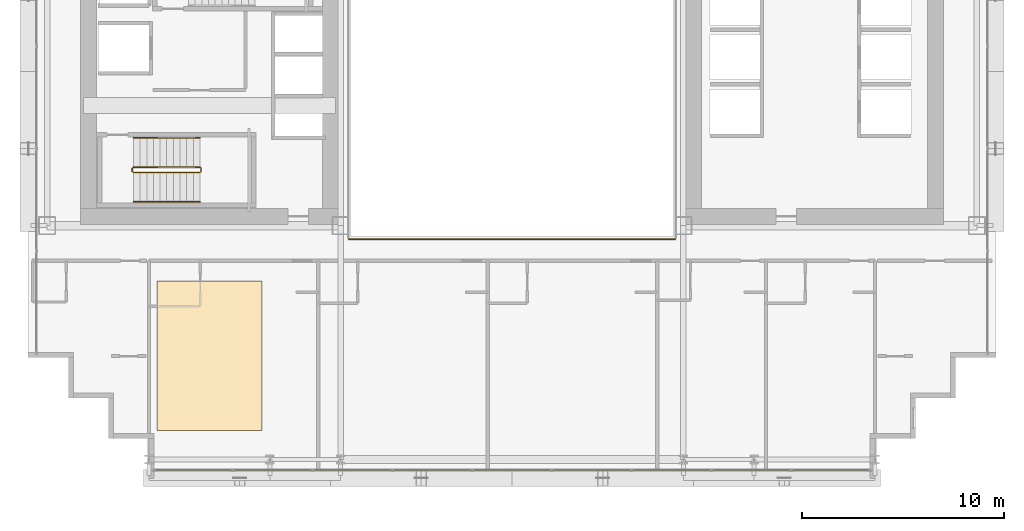
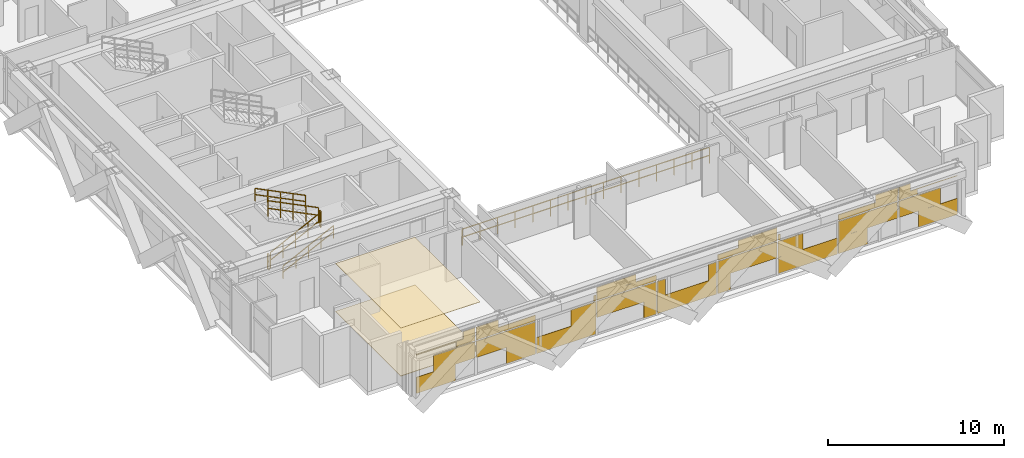
# One storey, part 32 of 35: 7 railings, 3 coverings.
"""IFC4 building model written with IfcOpenShell, lengths in metres."""

from ifc_helpers import new_model, si_unit, direction, frame, origin, origin_2d, place, context, subcontext, project, spatial, polyline, rectangle, outline, extrude, material, layer, layer_set, type_object, element, save


model = new_model("IFC4")

# Units and contexts
model_context = context("Model", 3, precision=1e-05, world=origin(), true_north=direction((0.0, 1.0)))
body_context = subcontext(model_context, "Body", "Model", "MODEL_VIEW")
ifc_project = project(units=[si_unit("LENGTHUNIT", "METRE"), si_unit("AREAUNIT", "SQUARE_METRE"), si_unit("VOLUMEUNIT", "CUBIC_METRE"), si_unit("PLANEANGLEUNIT", "RADIAN"), si_unit("MASSUNIT", "GRAM", prefix="KILO")], contexts=[model_context])

# Site, building, storey
site_placement = place(None, origin())
site = spatial("IfcSite", under=ifc_project, at=site_placement, CompositionType="ELEMENT")
building_placement = place(site_placement, origin())
building = spatial("IfcBuilding", under=site, at=building_placement, Name="Ocotamira Hotel", CompositionType="ELEMENT")
storey_placement = place(building_placement, frame((0.0, 0.0, 56.39990234375)))
storey = spatial("IfcBuildingStorey", under=building, at=storey_placement, Name="L13", CompositionType="ELEMENT", Elevation=56.39990234375)

# Coverings
ifc_material_1 = material(Name="Perforated acoustic gypsum ceiling board", Category="gypsum")
ifc_layer_1 = layer(ifc_material_1, 0.02490234375)
ifc_layer_set_1 = layer_set([ifc_layer_1], Name="Perforated acoustic gypsum ceiling board")
covering_type_1 = type_object("IfcCoveringType", Name="COV-CEIL-25", PredefinedType="CEILING", material=ifc_layer_set_1)
covering_1_placement = place(storey_placement, frame((0.0, 0.0, 3.3251953125)))
element("IfcCovering", 1, at=covering_1_placement, inside=storey, type_object=covering_type_1, Name="L13 Acoustic Ceiling", PredefinedType="CEILING", context=body_context, shape_type="SweptSolid", body=[
    extrude(outline(polyline([(14.39990234375, 4.39990234375), (19.60009765625, 4.39990234375), (19.60009765625, 11.800048828125), (14.39990234375, 11.800048828125), (14.39990234375, 4.39990234375)])), origin(), (0.0, 0.0, 1.0), 0.02490234375),
])
ifc_material_2 = material(Name="Honed desert travertine stone flooring", Category="masonry")
ifc_layer_2 = layer(ifc_material_2, 0.030029296875)
ifc_layer_set_2 = layer_set([ifc_layer_2], Name="Honed desert travertine stone flooring")
covering_type_2 = type_object("IfcCoveringType", Name="COV-FLOR-30", PredefinedType="FLOORING", material=ifc_layer_set_2)
covering_2_placement = place(storey_placement, origin())
element("IfcCovering", 2, at=covering_2_placement, inside=storey, type_object=covering_type_2, Name="L13 Honed Stone Floor Finish", PredefinedType="FLOORING", context=body_context, shape_type="SweptSolid", body=[
    extrude(outline(polyline([(14.39990234375, 4.39990234375), (19.60009765625, 4.39990234375), (19.60009765625, 11.800048828125), (14.39990234375, 11.800048828125), (14.39990234375, 4.39990234375)])), origin(), (0.0, 0.0, 1.0), 0.030029296875),
])
ifc_material_3 = material(Name="Insulated pale-metal aluminium spandrel panel", Category="aluminium")
ifc_layer_3 = layer(ifc_material_3, 0.044921875)
ifc_layer_set_3 = layer_set([ifc_layer_3], Name="Insulated pale-metal aluminium spandrel panel")
covering_type_3 = type_object("IfcCoveringType", Name="COV-INFILL-45", PredefinedType="CLADDING", material=ifc_layer_set_3)
covering_3_placement = place(storey_placement, origin())
element("IfcCovering", 3, at=covering_3_placement, inside=storey, type_object=covering_type_3, Name="L13 Curtain Wall Infill CW-2 CW-L13-S1", PredefinedType="CLADDING", context=body_context, shape_type="SweptSolid", body=[
    extrude(rectangle(XDim=2.556396484375, YDim=0.044921875, at=origin_2d()), frame((15.558837890625, 2.419921875, 0.07568359375), z_axis=(0.0, 0.0, 1.0), x_axis=(1.0, 0.0, 0.0)), (0.0, 0.0, 1.0), 1.11767578125),
    extrude(rectangle(XDim=2.7177734375, YDim=0.044921875, at=origin_2d()), frame((16.756103515625, 2.419921875, 1.1943359375), z_axis=(0.0, 0.0, 1.0), x_axis=(1.0, 0.0, 0.0)), (0.0, 0.0, 1.0), 1.11767578125),
    extrude(rectangle(XDim=3.834716796875, YDim=0.044921875, at=origin_2d()), frame((16.19775390625, 2.419921875, 2.733642578125), z_axis=(0.0, 0.0, 1.0), x_axis=(1.0, 0.0, 0.0)), (0.0, 0.0, 1.0), 0.0302734375),
    extrude(rectangle(XDim=1.2255859375, YDim=0.044921875, at=origin_2d()), frame((17.502197265625, 2.419921875, 2.38818359375), z_axis=(0.0, 0.0, 1.0), x_axis=(1.0, 0.0, 0.0)), (0.0, 0.0, 1.0), 0.344482421875),
    extrude(rectangle(XDim=0.754638671875, YDim=0.044921875, at=origin_2d()), frame((17.73779296875, 2.419921875, 2.764892578125), z_axis=(0.0, 0.0, 1.0), x_axis=(1.0, 0.0, 0.0)), (0.0, 0.0, 1.0), 0.509765625),
    extrude(rectangle(XDim=3.87451171875, YDim=0.044921875, at=origin_2d()), frame((20.13330078125, 2.419921875, 1.1943359375), z_axis=(0.0, 0.0, 1.0), x_axis=(1.0, 0.0, 0.0)), (0.0, 0.0, 1.0), 1.11767578125),
    extrude(rectangle(XDim=1.90771484375, YDim=0.044921875, at=origin_2d()), frame((21.11669921875, 2.419921875, 0.07568359375), z_axis=(0.0, 0.0, 1.0), x_axis=(1.0, 0.0, 0.0)), (0.0, 0.0, 1.0), 1.11767578125),
    extrude(rectangle(XDim=3.87451171875, YDim=0.044921875, at=origin_2d()), frame((20.13330078125, 2.419921875, 2.38818359375), z_axis=(0.0, 0.0, 1.0), x_axis=(1.0, 0.0, 0.0)), (0.0, 0.0, 1.0), 0.375732421875),
    extrude(rectangle(XDim=1.443603515625, YDim=0.044921875, at=origin_2d()), frame((18.917724609375, 2.419921875, 2.764892578125), z_axis=(0.0, 0.0, 1.0), x_axis=(1.0, 0.0, 0.0)), (0.0, 0.0, 1.0), 0.509765625),
    extrude(rectangle(XDim=3.87451171875, YDim=0.044921875, at=origin_2d()), frame((24.0888671875, 2.419921875, 0.07568359375), z_axis=(0.0, 0.0, 1.0), x_axis=(1.0, 0.0, 0.0)), (0.0, 0.0, 1.0), 1.11767578125),
    extrude(rectangle(XDim=1.62890625, YDim=0.044921875, at=origin_2d()), frame((25.2119140625, 2.419921875, 1.1943359375), z_axis=(0.0, 0.0, 1.0), x_axis=(1.0, 0.0, 0.0)), (0.0, 0.0, 1.0), 1.11767578125),
    extrude(rectangle(XDim=0.13671875, YDim=0.044921875, at=origin_2d()), frame((25.957763671875, 2.419921875, 2.38818359375), z_axis=(0.0, 0.0, 1.0), x_axis=(1.0, 0.0, 0.0)), (0.0, 0.0, 1.0), 0.375732421875),
    extrude(rectangle(XDim=3.87451171875, YDim=0.044921875, at=origin_2d()), frame((28.04443359375, 2.419921875, 1.1943359375), z_axis=(0.0, 0.0, 1.0), x_axis=(1.0, 0.0, 0.0)), (0.0, 0.0, 1.0), 1.11767578125),
    extrude(rectangle(XDim=0.81884765625, YDim=0.044921875, at=origin_2d()), frame((29.572265625, 2.419921875, 0.07568359375), z_axis=(0.0, 0.0, 1.0), x_axis=(1.0, 0.0, 0.0)), (0.0, 0.0, 1.0), 1.11767578125),
    extrude(rectangle(XDim=3.87451171875, YDim=0.044921875, at=origin_2d()), frame((28.04443359375, 2.419921875, 2.38818359375), z_axis=(0.0, 0.0, 1.0), x_axis=(1.0, 0.0, 0.0)), (0.0, 0.0, 1.0), 0.375732421875),
    extrude(rectangle(XDim=2.532470703125, YDim=0.044921875, at=origin_2d()), frame((27.373291015625, 2.419921875, 2.764892578125), z_axis=(0.0, 0.0, 1.0), x_axis=(1.0, 0.0, 0.0)), (0.0, 0.0, 1.0), 0.509765625),
    extrude(rectangle(XDim=3.87451171875, YDim=0.044921875, at=origin_2d()), frame((32.0, 2.419921875, 0.07568359375), z_axis=(0.0, 0.0, 1.0), x_axis=(1.0, 0.0, 0.0)), (0.0, 0.0, 1.0), 1.11767578125),
    extrude(rectangle(XDim=0.539794921875, YDim=0.044921875, at=origin_2d()), frame((30.332763671875, 2.419921875, 1.1943359375), z_axis=(0.0, 0.0, 1.0), x_axis=(1.0, 0.0, 0.0)), (0.0, 0.0, 1.0), 1.11767578125),
    extrude(rectangle(XDim=0.539794921875, YDim=0.044921875, at=origin_2d()), frame((33.667236328125, 2.419921875, 1.1943359375), z_axis=(0.0, 0.0, 1.0), x_axis=(1.0, 0.0, 0.0)), (0.0, 0.0, 1.0), 1.11767578125),
    extrude(rectangle(XDim=0.81884765625, YDim=0.044921875, at=origin_2d()), frame((34.427734375, 2.419921875, 0.07568359375), z_axis=(0.0, 0.0, 1.0), x_axis=(1.0, 0.0, 0.0)), (0.0, 0.0, 1.0), 1.11767578125),
    extrude(rectangle(XDim=3.87451171875, YDim=0.044921875, at=origin_2d()), frame((35.95556640625, 2.419921875, 1.1943359375), z_axis=(0.0, 0.0, 1.0), x_axis=(1.0, 0.0, 0.0)), (0.0, 0.0, 1.0), 1.11767578125),
    extrude(rectangle(XDim=3.87451171875, YDim=0.044921875, at=origin_2d()), frame((35.95556640625, 2.419921875, 2.38818359375), z_axis=(0.0, 0.0, 1.0), x_axis=(1.0, 0.0, 0.0)), (0.0, 0.0, 1.0), 0.375732421875),
    extrude(rectangle(XDim=2.532470703125, YDim=0.044921875, at=origin_2d()), frame((36.626708984375, 2.419921875, 2.764892578125), z_axis=(0.0, 0.0, 1.0), x_axis=(1.0, 0.0, 0.0)), (0.0, 0.0, 1.0), 0.509765625),
    extrude(rectangle(XDim=3.87451171875, YDim=0.044921875, at=origin_2d()), frame((39.9111328125, 2.419921875, 0.07568359375), z_axis=(0.0, 0.0, 1.0), x_axis=(1.0, 0.0, 0.0)), (0.0, 0.0, 1.0), 1.11767578125),
    extrude(rectangle(XDim=1.62890625, YDim=0.044921875, at=origin_2d()), frame((38.7880859375, 2.419921875, 1.1943359375), z_axis=(0.0, 0.0, 1.0), x_axis=(1.0, 0.0, 0.0)), (0.0, 0.0, 1.0), 1.11767578125),
    extrude(rectangle(XDim=0.13671875, YDim=0.044921875, at=origin_2d()), frame((38.042236328125, 2.419921875, 2.38818359375), z_axis=(0.0, 0.0, 1.0), x_axis=(1.0, 0.0, 0.0)), (0.0, 0.0, 1.0), 0.375732421875),
    extrude(rectangle(XDim=1.90771484375, YDim=0.044921875, at=origin_2d()), frame((42.88330078125, 2.419921875, 0.07568359375), z_axis=(0.0, 0.0, 1.0), x_axis=(1.0, 0.0, 0.0)), (0.0, 0.0, 1.0), 1.11767578125),
    extrude(rectangle(XDim=3.87451171875, YDim=0.044921875, at=origin_2d()), frame((43.86669921875, 2.419921875, 1.1943359375), z_axis=(0.0, 0.0, 1.0), x_axis=(1.0, 0.0, 0.0)), (0.0, 0.0, 1.0), 1.11767578125),
    extrude(rectangle(XDim=3.87451171875, YDim=0.044921875, at=origin_2d()), frame((43.86669921875, 2.419921875, 2.38818359375), z_axis=(0.0, 0.0, 1.0), x_axis=(1.0, 0.0, 0.0)), (0.0, 0.0, 1.0), 0.375732421875),
    extrude(rectangle(XDim=1.443603515625, YDim=0.044921875, at=origin_2d()), frame((45.082275390625, 2.419921875, 2.764892578125), z_axis=(0.0, 0.0, 1.0), x_axis=(1.0, 0.0, 0.0)), (0.0, 0.0, 1.0), 0.509765625),
    extrude(rectangle(XDim=2.7177734375, YDim=0.044921875, at=origin_2d()), frame((47.243896484375, 2.419921875, 1.1943359375), z_axis=(0.0, 0.0, 1.0), x_axis=(1.0, 0.0, 0.0)), (0.0, 0.0, 1.0), 1.11767578125),
    extrude(rectangle(XDim=2.556396484375, YDim=0.044921875, at=origin_2d()), frame((48.441162109375, 2.419921875, 0.07568359375), z_axis=(0.0, 0.0, 1.0), x_axis=(1.0, 0.0, 0.0)), (0.0, 0.0, 1.0), 1.11767578125),
    extrude(rectangle(XDim=1.2255859375, YDim=0.044921875, at=origin_2d()), frame((46.497802734375, 2.419921875, 2.38818359375), z_axis=(0.0, 0.0, 1.0), x_axis=(1.0, 0.0, 0.0)), (0.0, 0.0, 1.0), 0.344482421875),
    extrude(rectangle(XDim=3.834716796875, YDim=0.044921875, at=origin_2d()), frame((47.80224609375, 2.419921875, 2.733642578125), z_axis=(0.0, 0.0, 1.0), x_axis=(1.0, 0.0, 0.0)), (0.0, 0.0, 1.0), 0.0302734375),
    extrude(rectangle(XDim=0.754638671875, YDim=0.044921875, at=origin_2d()), frame((46.26220703125, 2.419921875, 2.764892578125), z_axis=(0.0, 0.0, 1.0), x_axis=(1.0, 0.0, 0.0)), (0.0, 0.0, 1.0), 0.509765625),
])

# Railings
ifc_material_4 = material(Name="Painted steel stair guardrail", Category="steel")
railing_type_1 = type_object("IfcRailingType", Name="RL-EDGE-1150", PredefinedType="GUARDRAIL", material=ifc_material_4)
railing_1_placement = place(storey_placement, frame((23.89990234375, 13.8798828125, 0.0)))
element("IfcRailing", 4, at=railing_1_placement, inside=storey, type_object=railing_type_1, Name="L13 Central Atrium Edge Guardrail S", PredefinedType="GUARDRAIL", context=body_context, shape_type="SweptSolid", body=[
    extrude(rectangle(XDim=0.048095703125, YDim=0.048095703125, at=origin_2d()), frame((0.0, 0.0, 1.1259765625), z_axis=(1.0, 0.0, 0.0), x_axis=(0.0, 1.0, 0.0)), (0.0, 0.0, 1.0), 16.2001953125),
    extrude(rectangle(XDim=0.048095703125, YDim=0.048095703125, at=origin_2d()), frame((0.0, 0.0, 0.574951171875), z_axis=(1.0, 0.0, 0.0), x_axis=(0.0, 1.0, 0.0)), (0.0, 0.0, 1.0), 16.2001953125),
    extrude(rectangle(XDim=0.0419921875, YDim=0.0419921875, at=origin_2d()), origin(), (0.0, 0.0, 1.0), 1.101806640625),
    extrude(rectangle(XDim=0.0419921875, YDim=0.0419921875, at=origin_2d()), frame((1.1572265625, 0.0, 0.0)), (0.0, 0.0, 1.0), 1.101806640625),
    extrude(rectangle(XDim=0.0419921875, YDim=0.0419921875, at=origin_2d()), frame((2.314208984375, 0.0, 0.0)), (0.0, 0.0, 1.0), 1.101806640625),
    extrude(rectangle(XDim=0.0419921875, YDim=0.0419921875, at=origin_2d()), frame((3.471435546875, 0.0, 0.0)), (0.0, 0.0, 1.0), 1.101806640625),
    extrude(rectangle(XDim=0.0419921875, YDim=0.0419921875, at=origin_2d()), frame((4.628662109375, 0.0, 0.0)), (0.0, 0.0, 1.0), 1.101806640625),
    extrude(rectangle(XDim=0.0419921875, YDim=0.0419921875, at=origin_2d()), frame((5.785888671875, 0.0, 0.0)), (0.0, 0.0, 1.0), 1.101806640625),
    extrude(rectangle(XDim=0.0419921875, YDim=0.0419921875, at=origin_2d()), frame((6.94287109375, 0.0, 0.0)), (0.0, 0.0, 1.0), 1.101806640625),
    extrude(rectangle(XDim=0.0419921875, YDim=0.0419921875, at=origin_2d()), frame((8.10009765625, 0.0, 0.0)), (0.0, 0.0, 1.0), 1.101806640625),
    extrude(rectangle(XDim=0.0419921875, YDim=0.0419921875, at=origin_2d()), frame((9.25732421875, 0.0, 0.0)), (0.0, 0.0, 1.0), 1.101806640625),
    extrude(rectangle(XDim=0.0419921875, YDim=0.0419921875, at=origin_2d()), frame((10.414306640625, 0.0, 0.0)), (0.0, 0.0, 1.0), 1.101806640625),
    extrude(rectangle(XDim=0.0419921875, YDim=0.0419921875, at=origin_2d()), frame((11.571533203125, 0.0, 0.0)), (0.0, 0.0, 1.0), 1.101806640625),
    extrude(rectangle(XDim=0.0419921875, YDim=0.0419921875, at=origin_2d()), frame((12.728759765625, 0.0, 0.0)), (0.0, 0.0, 1.0), 1.101806640625),
    extrude(rectangle(XDim=0.0419921875, YDim=0.0419921875, at=origin_2d()), frame((13.885986328125, 0.0, 0.0)), (0.0, 0.0, 1.0), 1.101806640625),
    extrude(rectangle(XDim=0.0419921875, YDim=0.0419921875, at=origin_2d()), frame((15.04296875, 0.0, 0.0)), (0.0, 0.0, 1.0), 1.101806640625),
    extrude(rectangle(XDim=0.0419921875, YDim=0.0419921875, at=origin_2d()), frame((16.2001953125, 0.0, 0.0)), (0.0, 0.0, 1.0), 1.101806640625),
])
ifc_material_5 = material(Name="Brushed stainless steel handrail", Category="steel")
railing_type_2 = type_object("IfcRailingType", Name="RL-HAND-900", PredefinedType="HANDRAIL", material=ifc_material_5)
railing_2_placement = place(storey_placement, frame((13.22998046875, 15.719970703125, 0.327392578125)))
element("IfcRailing", 5, at=railing_2_placement, inside=storey, type_object=railing_type_2, Name="L13 ST-1 stair handrail 1", PredefinedType="HANDRAIL", context=body_context, shape_type="SweptSolid", body=[
    extrude(rectangle(XDim=0.048095703125, YDim=0.048095703125, at=origin_2d()), frame((0.0, 0.0, 0.8759765625), z_axis=(0.895920123917, 0.0, 0.444215186098), x_axis=(0.0, 1.0, 0.0)), (0.0, 0.0, 1.0), 3.683349609375),
    extrude(rectangle(XDim=0.048095703125, YDim=0.048095703125, at=origin_2d()), frame((0.0, 0.0, 0.449951171875), z_axis=(0.895920123917, 0.0, 0.444215186098), x_axis=(0.0, 1.0, 0.0)), (0.0, 0.0, 1.0), 3.683349609375),
    extrude(rectangle(XDim=0.0419921875, YDim=0.0419921875, at=origin_2d()), origin(), (0.0, 0.0, 1.0), 0.851806640625),
    extrude(rectangle(XDim=0.0419921875, YDim=0.0419921875, at=origin_2d()), frame((0.824951171875, 0.0, 0.4091796875)), (0.0, 0.0, 1.0), 0.851806640625),
    extrude(rectangle(XDim=0.0419921875, YDim=0.0419921875, at=origin_2d()), frame((1.64990234375, 0.0, 0.818115234375)), (0.0, 0.0, 1.0), 0.851806640625),
    extrude(rectangle(XDim=0.0419921875, YDim=0.0419921875, at=origin_2d()), frame((2.47509765625, 0.0, 1.22705078125)), (0.0, 0.0, 1.0), 0.851806640625),
    extrude(rectangle(XDim=0.0419921875, YDim=0.0419921875, at=origin_2d()), frame((3.300048828125, 0.0, 1.63623046875)), (0.0, 0.0, 1.0), 0.851806640625),
])
railing_3_placement = place(storey_placement, frame((16.530029296875, 18.89990234375, 2.12744140625)))
element("IfcRailing", 6, at=railing_3_placement, inside=storey, type_object=railing_type_2, Name="L13 ST-1 stair handrail 2", PredefinedType="HANDRAIL", context=body_context, shape_type="SweptSolid", body=[
    extrude(rectangle(XDim=0.048095703125, YDim=0.048095703125, at=origin_2d()), frame((0.0, 0.0, 0.8759765625), z_axis=(-0.895920123917, 0.0, 0.444215186098), x_axis=(0.0, -1.0, 0.0)), (0.0, 0.0, 1.0), 3.683349609375),
    extrude(rectangle(XDim=0.048095703125, YDim=0.048095703125, at=origin_2d()), frame((0.0, 0.0, 0.449951171875), z_axis=(-0.895920123917, 0.0, 0.444215186098), x_axis=(0.0, -1.0, 0.0)), (0.0, 0.0, 1.0), 3.683349609375),
    extrude(rectangle(XDim=0.0419921875, YDim=0.0419921875, at=origin_2d()), origin(), (0.0, 0.0, 1.0), 0.851806640625),
    extrude(rectangle(XDim=0.0419921875, YDim=0.0419921875, at=origin_2d()), frame((-0.824951171875, 0.0, 0.4091796875)), (0.0, 0.0, 1.0), 0.851806640625),
    extrude(rectangle(XDim=0.0419921875, YDim=0.0419921875, at=origin_2d()), frame((-1.64990234375, 0.0, 0.818115234375)), (0.0, 0.0, 1.0), 0.851806640625),
    extrude(rectangle(XDim=0.0419921875, YDim=0.0419921875, at=origin_2d()), frame((-2.47509765625, 0.0, 1.22705078125)), (0.0, 0.0, 1.0), 0.851806640625),
    extrude(rectangle(XDim=0.0419921875, YDim=0.0419921875, at=origin_2d()), frame((-3.300048828125, 0.0, 1.63623046875)), (0.0, 0.0, 1.0), 0.851806640625),
])
railing_type_3 = type_object("IfcRailingType", Name="RL-STAIR-1100", PredefinedType="GUARDRAIL", material=ifc_material_4)
railing_4_placement = place(storey_placement, frame((13.22998046875, 17.179931640625, 0.163818359375)))
element("IfcRailing", 7, at=railing_4_placement, inside=storey, type_object=railing_type_3, Name="L13 ST-1 stair guard 1", PredefinedType="GUARDRAIL", context=body_context, shape_type="SweptSolid", body=[
    extrude(rectangle(XDim=0.048095703125, YDim=0.048095703125, at=origin_2d()), frame((0.0, 0.0, 1.076171875), z_axis=(0.895920123917, 0.0, 0.444215186098), x_axis=(0.0, 1.0, 0.0)), (0.0, 0.0, 1.0), 3.683349609375),
    extrude(rectangle(XDim=0.048095703125, YDim=0.048095703125, at=origin_2d()), frame((0.0, 0.0, 0.550048828125), z_axis=(0.895920123917, 0.0, 0.444215186098), x_axis=(0.0, 1.0, 0.0)), (0.0, 0.0, 1.0), 3.683349609375),
    extrude(rectangle(XDim=0.0419921875, YDim=0.0419921875, at=origin_2d()), origin(), (0.0, 0.0, 1.0), 1.052001953125),
    extrude(rectangle(XDim=0.0419921875, YDim=0.0419921875, at=origin_2d()), frame((0.824951171875, 0.0, 0.4091796875)), (0.0, 0.0, 1.0), 1.052001953125),
    extrude(rectangle(XDim=0.0419921875, YDim=0.0419921875, at=origin_2d()), frame((1.64990234375, 0.0, 0.818115234375)), (0.0, 0.0, 1.0), 1.052001953125),
    extrude(rectangle(XDim=0.0419921875, YDim=0.0419921875, at=origin_2d()), frame((2.47509765625, 0.0, 1.22705078125)), (0.0, 0.0, 1.0), 1.052001953125),
    extrude(rectangle(XDim=0.0419921875, YDim=0.0419921875, at=origin_2d()), frame((3.300048828125, 0.0, 1.63623046875)), (0.0, 0.0, 1.0), 1.052001953125),
])
railing_5_placement = place(storey_placement, frame((16.580078125, 17.22998046875, 1.800048828125)))
element("IfcRailing", 8, at=railing_5_placement, inside=storey, type_object=railing_type_3, Name="L13 ST-1 stair guard 2", PredefinedType="GUARDRAIL", context=body_context, shape_type="SweptSolid", body=[
    extrude(rectangle(XDim=0.048095703125, YDim=0.048095703125, at=origin_2d()), frame((0.0, 0.0, 1.076171875), z_axis=(0.0, 1.0, 0.0), x_axis=(-1.0, 0.0, 0.0)), (0.0, 0.0, 1.0), 0.159912109375),
    extrude(rectangle(XDim=0.048095703125, YDim=0.048095703125, at=origin_2d()), frame((0.0, 0.0, 0.550048828125), z_axis=(0.0, 1.0, 0.0), x_axis=(-1.0, 0.0, 0.0)), (0.0, 0.0, 1.0), 0.159912109375),
    extrude(rectangle(XDim=0.0419921875, YDim=0.0419921875, at=origin_2d()), origin(), (0.0, 0.0, 1.0), 1.052001953125),
    extrude(rectangle(XDim=0.0419921875, YDim=0.0419921875, at=origin_2d()), frame((0.0, 0.159912109375, 0.0)), (0.0, 0.0, 1.0), 1.052001953125),
])
railing_6_placement = place(storey_placement, frame((16.530029296875, 17.43994140625, 1.963623046875)))
element("IfcRailing", 9, at=railing_6_placement, inside=storey, type_object=railing_type_3, Name="L13 ST-1 stair guard 3", PredefinedType="GUARDRAIL", context=body_context, shape_type="SweptSolid", body=[
    extrude(rectangle(XDim=0.048095703125, YDim=0.048095703125, at=origin_2d()), frame((0.0, 0.0, 1.076171875), z_axis=(-0.895893744519, 0.0, 0.4442683857), x_axis=(0.0, -1.0, 0.0)), (0.0, 0.0, 1.0), 3.68359375),
    extrude(rectangle(XDim=0.048095703125, YDim=0.048095703125, at=origin_2d()), frame((0.0, 0.0, 0.550048828125), z_axis=(-0.895893744519, 0.0, 0.4442683857), x_axis=(0.0, -1.0, 0.0)), (0.0, 0.0, 1.0), 3.68359375),
    extrude(rectangle(XDim=0.0419921875, YDim=0.0419921875, at=origin_2d()), origin(), (0.0, 0.0, 1.0), 1.052001953125),
    extrude(rectangle(XDim=0.0419921875, YDim=0.0419921875, at=origin_2d()), frame((-0.824951171875, 0.0, 0.4091796875)), (0.0, 0.0, 1.0), 1.052001953125),
    extrude(rectangle(XDim=0.0419921875, YDim=0.0419921875, at=origin_2d()), frame((-1.64990234375, 0.0, 0.818359375)), (0.0, 0.0, 1.0), 1.052001953125),
    extrude(rectangle(XDim=0.0419921875, YDim=0.0419921875, at=origin_2d()), frame((-2.47509765625, 0.0, 1.227294921875)), (0.0, 0.0, 1.0), 1.052001953125),
    extrude(rectangle(XDim=0.0419921875, YDim=0.0419921875, at=origin_2d()), frame((-3.300048828125, 0.0, 1.636474609375)), (0.0, 0.0, 1.0), 1.052001953125),
])
railing_7_placement = place(storey_placement, frame((13.179931640625, 17.22998046875, 0.0)))
element("IfcRailing", 10, at=railing_7_placement, inside=storey, type_object=railing_type_3, Name="L13 ST-1 stair guard 4", PredefinedType="GUARDRAIL", context=body_context, shape_type="SweptSolid", body=[
    extrude(rectangle(XDim=0.048095703125, YDim=0.048095703125, at=origin_2d()), frame((0.0, 0.0, 1.076171875), z_axis=(0.0, 1.0, 0.0), x_axis=(-1.0, 0.0, 0.0)), (0.0, 0.0, 1.0), 0.159912109375),
    extrude(rectangle(XDim=0.048095703125, YDim=0.048095703125, at=origin_2d()), frame((0.0, 0.0, 0.550048828125), z_axis=(0.0, 1.0, 0.0), x_axis=(-1.0, 0.0, 0.0)), (0.0, 0.0, 1.0), 0.159912109375),
    extrude(rectangle(XDim=0.0419921875, YDim=0.0419921875, at=origin_2d()), origin(), (0.0, 0.0, 1.0), 1.052001953125),
    extrude(rectangle(XDim=0.0419921875, YDim=0.0419921875, at=origin_2d()), frame((0.0, 0.159912109375, 0.0)), (0.0, 0.0, 1.0), 1.052001953125),
])

save(model, "model.ifc")
